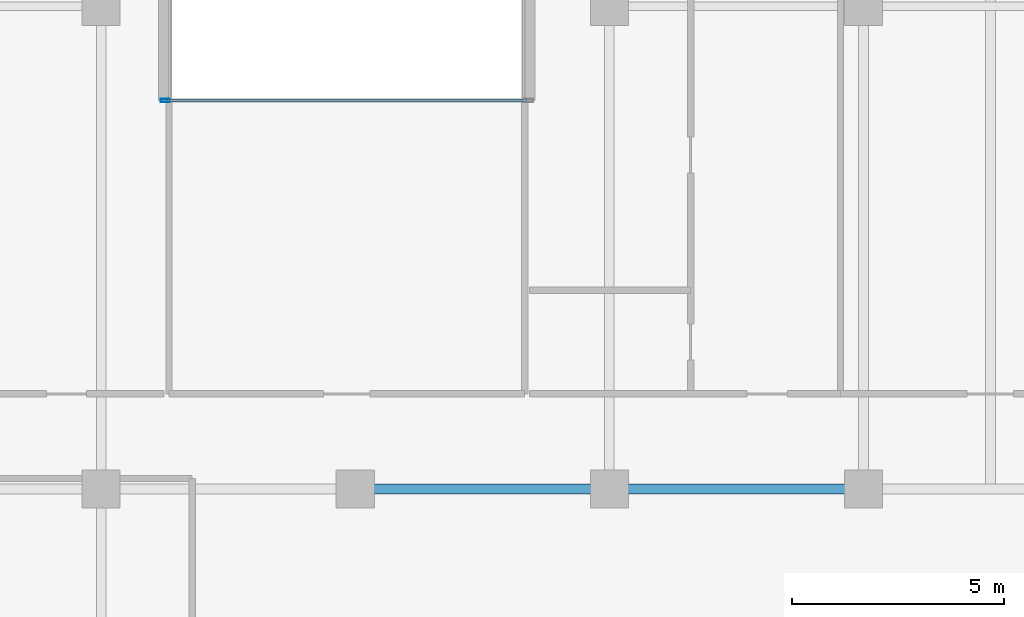
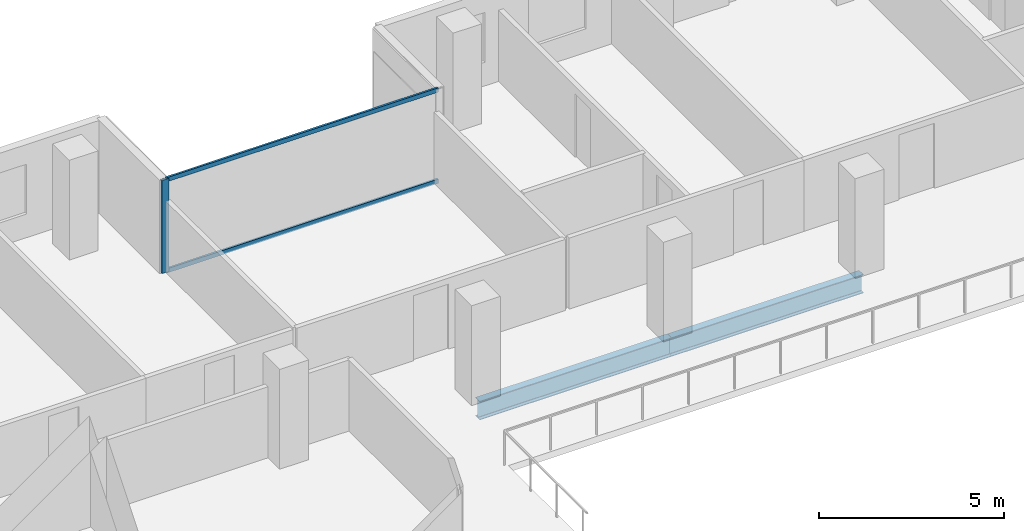
# One storey, part 6 of 19: 3 members, 2 beams, 1 element without a shape of its own.
"""IFC4 building model written with IfcOpenShell, lengths in metres."""

from ifc_helpers import new_model, si_unit, direction, frame, origin, origin_2d, place, context, subcontext, project, spatial, hollow_rectangle, i_section, extrude, material, layer, layer_set, material_profile, profile_set, type_object, element, aggregate, save


model = new_model("IFC4")

# Units and contexts
model_context = context("Model", 3, precision=1e-05, world=origin(), true_north=direction((0.0, 1.0)))
body_context = subcontext(model_context, "Body", "Model", "MODEL_VIEW")
ifc_project = project(units=[si_unit("LENGTHUNIT", "METRE"), si_unit("AREAUNIT", "SQUARE_METRE"), si_unit("VOLUMEUNIT", "CUBIC_METRE"), si_unit("PLANEANGLEUNIT", "RADIAN"), si_unit("MASSUNIT", "GRAM", prefix="KILO")], contexts=[model_context])

# Site, building, storey
site_placement = place(None, origin())
site = spatial("IfcSite", under=ifc_project, at=site_placement, CompositionType="ELEMENT")
building_placement = place(site_placement, origin())
building = spatial("IfcBuilding", under=site, at=building_placement, Name="Tanjung Sevakor Pilgrim Tower", CompositionType="ELEMENT")
storey_placement = place(building_placement, frame((0.0, 0.0, 138.60009765625)))
storey = spatial("IfcBuildingStorey", under=building, at=storey_placement, Name="L38", CompositionType="ELEMENT", Elevation=138.60009765625)

# Beams
ifc_material_1 = material(Name="Steel S355J2", Category="steel")
ifc_material_profile_1 = material_profile(ifc_material_1, i_section(OverallWidth=0.230224609375, OverallDepth=0.6171875, WebThickness=0.01318359375, FlangeThickness=0.022216796875, FilletRadius=0.0126953125, at=origin_2d()))
ifc_profile_set_1 = profile_set([ifc_material_profile_1], Name="Steel S355J2")
beam_type = type_object("IfcBeamType", Name="BM-B-G3-UB_610x229x140", PredefinedType="BEAM", material=ifc_profile_set_1)
for number, where, z_axis, x_axis, name in (
    (1, (48.0, 42.60009765625, -0.52880859375), (1.0, 0.0, 0.0), (0.0, 1.0, 0.0), "L38 Primary Floor Girder MAIN Y426-03"),
    (2, (54.0, 42.60009765625, -0.52880859375), (1.0, 0.0, 0.0), (0.0, 1.0, 0.0), "L38 Primary Floor Girder MAIN Y426-04"),
):
    element("IfcBeam", number, at=place(storey_placement, frame(where, z_axis=z_axis, x_axis=x_axis)), inside=storey, type_object=beam_type, Name=name, PredefinedType="BEAM", context=body_context, shape_type="SweptSolid", body=[
        extrude(i_section(OverallWidth=0.230224609375, OverallDepth=0.6171875, WebThickness=0.01318359375, FlangeThickness=0.022216796875, FilletRadius=0.0126953125, at=origin_2d()), origin(), (0.0, 0.0, 1.0), 6.0),
    ])

# Curtain wall, members
ifc_material_2 = material(Name="Aluminium 6063-T6 and Low-E Glass", Category="aluminium")
ifc_layer = layer(ifc_material_2, 0.179931640625)
ifc_layer_set = layer_set([ifc_layer], Name="CW-SYS-CLEFT")
curtain_wall_type = type_object("IfcCurtainWallType", Name="CW-SYS-CLEFT", PredefinedType="NOTDEFINED", material=ifc_layer_set)
curtain_wall_placement = place(storey_placement, origin())
curtain_wall = element("IfcCurtainWall", 3, at=curtain_wall_placement, inside=storey, type_object=curtain_wall_type, Name="L38 Curtain Wall CW-CLF-L38-10", PredefinedType="NOTDEFINED")
ifc_material_3 = material(Name="Aluminium 6063-T6", Category="aluminium")
ifc_material_profile_2 = material_profile(ifc_material_3, hollow_rectangle(XDim=0.074951171875, YDim=0.219970703125, WallThickness=0.0048828125, at=origin_2d()))
ifc_profile_set_2 = profile_set([ifc_material_profile_2], Name="Aluminium 6063-T6")
member_type_1 = type_object("IfcMemberType", Name="TYPE-CWM-2", PredefinedType="MULLION", material=ifc_profile_set_2)
member_1_placement = place(storey_placement, frame((43.512451171875, 51.77490234375, 0.0), z_axis=(0.0, 0.0, 1.0), x_axis=(0.0, -1.0, 0.0)))
member_1 = element("IfcMember", 4, at=member_1_placement, type_object=member_type_1, Name="CW-CLF mullion 2", PredefinedType="MULLION", context=body_context, shape_type="SweptSolid", body=[
    extrude(hollow_rectangle(XDim=0.074951171875, YDim=0.219970703125, WallThickness=0.0048828125, at=origin_2d()), origin(), (0.0, 0.0, 1.0), 3.079833984375),
])
ifc_material_4 = material(Name="Aluminium 6063-T6", Category="aluminium")
ifc_material_profile_3 = material_profile(ifc_material_4, hollow_rectangle(XDim=0.06494140625, YDim=0.139892578125, WallThickness=0.00390625, at=origin_2d()))
ifc_profile_set_3 = profile_set([ifc_material_profile_3], Name="Aluminium 6063-T6")
member_type_2 = type_object("IfcMemberType", Name="TYPE-CWT-1", PredefinedType="USERDEFINED", material=ifc_profile_set_3)
member_2_placement = place(storey_placement, frame((52.050048828125, 51.77490234375, 0.032470703125), z_axis=(-1.0, 0.0, 0.0), x_axis=(0.0, -1.0, 0.0)))
member_2 = element("IfcMember", 5, at=member_2_placement, type_object=member_type_2, Name="CW-CLF transom 1.1", ObjectType="TRANSOM", PredefinedType="USERDEFINED", context=body_context, shape_type="SweptSolid", body=[
    extrude(hollow_rectangle(XDim=0.06494140625, YDim=0.139892578125, WallThickness=0.00390625, at=origin_2d()), origin(), (0.0, 0.0, 1.0), 8.5),
])
member_3_placement = place(storey_placement, frame((52.050048828125, 51.77490234375, 3.04736328125), z_axis=(-1.0, 0.0, 0.0), x_axis=(0.0, -1.0, 0.0)))
member_3 = element("IfcMember", 6, at=member_3_placement, type_object=member_type_2, Name="CW-CLF transom 1.2", ObjectType="TRANSOM", PredefinedType="USERDEFINED", context=body_context, shape_type="SweptSolid", body=[
    extrude(hollow_rectangle(XDim=0.06494140625, YDim=0.139892578125, WallThickness=0.00390625, at=origin_2d()), origin(), (0.0, 0.0, 1.0), 8.5),
])
aggregate(curtain_wall, [member_1, member_2, member_3])

save(model, "model.ifc")
